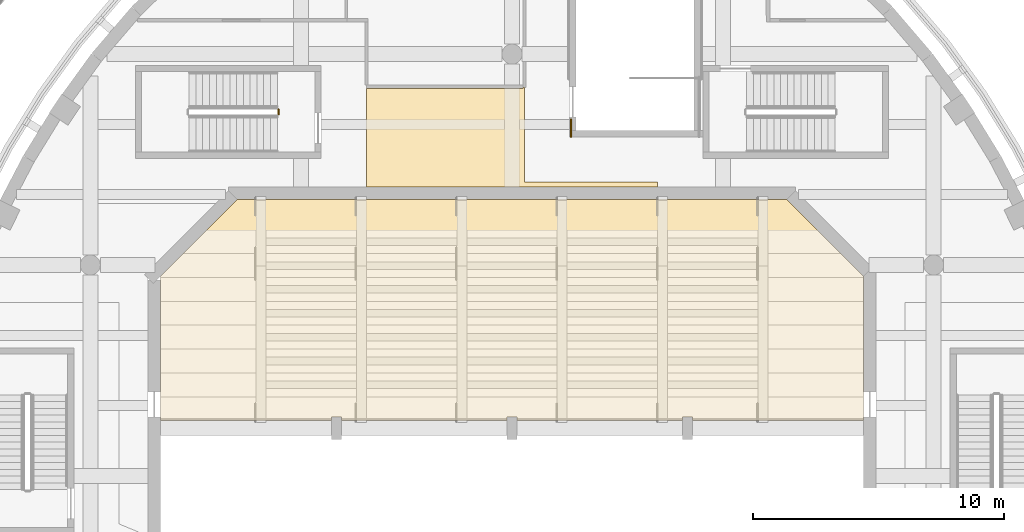
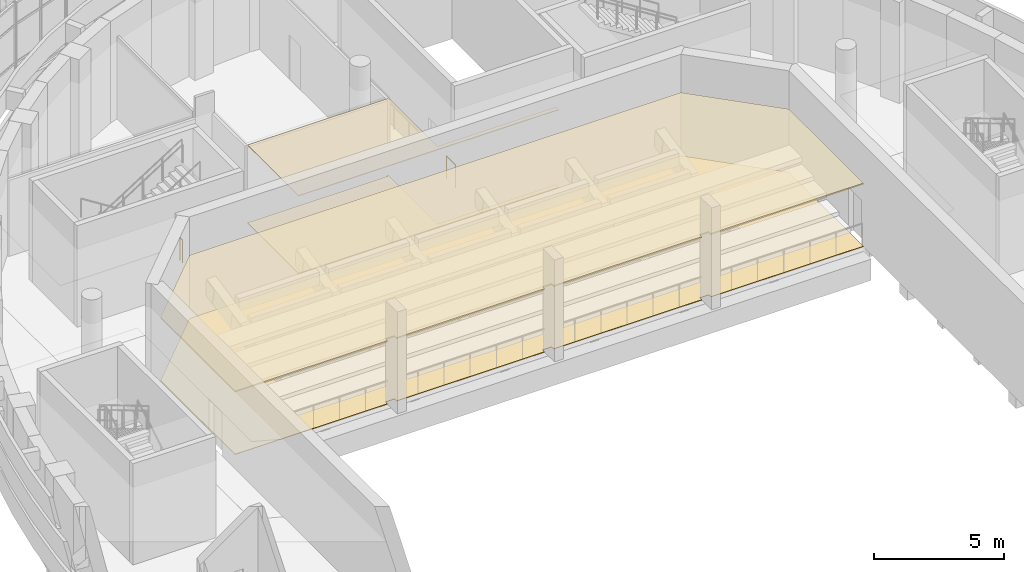
# One storey, part 96 of 103: 4 coverings, 2 railings.
"""IFC4 building model written with IfcOpenShell, lengths in metres."""

from ifc_helpers import new_model, si_unit, direction, frame, origin, origin_2d, place, context, subcontext, project, spatial, polyline, circle, outline, extrude, material, layer, layer_set, type_object, element, save


model = new_model("IFC4")

# Units and contexts
model_context = context("Model", 3, precision=1e-05, world=origin(), true_north=direction((0.0, 1.0)))
body_context = subcontext(model_context, "Body", "Model", "MODEL_VIEW")
ifc_project = project(units=[si_unit("LENGTHUNIT", "METRE"), si_unit("AREAUNIT", "SQUARE_METRE"), si_unit("VOLUMEUNIT", "CUBIC_METRE"), si_unit("PLANEANGLEUNIT", "RADIAN"), si_unit("MASSUNIT", "GRAM", prefix="KILO")], contexts=[model_context])

# Site, building, storey
site_placement = place(None, origin())
site = spatial("IfcSite", under=ifc_project, at=site_placement, CompositionType="ELEMENT")
building_placement = place(site_placement, origin())
building = spatial("IfcBuilding", under=site, at=building_placement, Name="Larchfold Concert Hall", CompositionType="ELEMENT")
storey_placement = place(building_placement, frame((0.0, 0.0, 9.60009765625)))
storey = spatial("IfcBuildingStorey", under=building, at=storey_placement, Name="L02", CompositionType="ELEMENT", Elevation=9.60009765625)

# Coverings
ifc_material_1 = material(Name="Acoustic timber lining", Category="wood")
ifc_layer_1 = layer(ifc_material_1, 0.06005859375)
ifc_layer_set_1 = layer_set([ifc_layer_1], Name="Acoustic timber lining")
covering_type_1 = type_object("IfcCoveringType", Name="Ceiling acoustic timber lining 60", PredefinedType="CEILING", material=ifc_layer_set_1)
covering_1_placement = place(storey_placement, frame((0.0, 0.0, 2.93994140625)))
element("IfcCovering", 1, at=covering_1_placement, inside=storey, type_object=covering_type_1, Name="Ceiling Concert Hall Tier 1", PredefinedType="CEILING", context=body_context, shape_type="SweptSolid", body=[
    extrude(outline(polyline([(53.546630859375, 104.0), (31.653564453125, 104.0), (28.60009765625, 100.946533203125), (28.60009765625, 95.199951171875), (35.400146484375, 95.199951171875), (35.400146484375, 95.349853515625), (35.800048828125, 95.349853515625), (35.800048828125, 95.199951171875), (42.400146484375, 95.199951171875), (42.400146484375, 95.349853515625), (42.800048828125, 95.349853515625), (42.800048828125, 95.199951171875), (49.400146484375, 95.199951171875), (49.400146484375, 95.349853515625), (49.800048828125, 95.349853515625), (49.800048828125, 95.199951171875), (56.60009765625, 95.199951171875), (56.60009765625, 100.946533203125), (53.546630859375, 104.0)])), origin(), (0.0, 0.0, 1.0), 0.06005859375),
])
ifc_material_2 = material(Name="Plasterboard ceiling lining")
ifc_layer_2 = layer(ifc_material_2, 0.030029296875)
ifc_layer_set_2 = layer_set([ifc_layer_2], Name="Plasterboard ceiling lining")
covering_type_2 = type_object("IfcCoveringType", Name="Ceiling suspended plasterboard 30", PredefinedType="CEILING", material=ifc_layer_set_2)
covering_2_placement = place(storey_placement, frame((0.0, 0.0, 3.669921875)))
element("IfcCovering", 2, at=covering_2_placement, inside=storey, type_object=covering_type_2, Name="Ceiling Hall Foyer North", PredefinedType="CEILING", context=body_context, shape_type="SweptSolid", body=[
    extrude(outline(polyline([(43.03857421875, 108.5), (43.034912109375, 108.4375), (36.800048828125, 108.4375), (36.800048828125, 104.5), (48.39990234375, 104.5), (48.39990234375, 104.699951171875), (43.099853515625, 104.699951171875), (43.099853515625, 108.47998046875), (43.03857421875, 108.47998046875), (43.03857421875, 108.5)])), origin(), (0.0, 0.0, 1.0), 0.030029296875),
])
ifc_material_3 = material(Name="Polished terrazzo")
ifc_layer_3 = layer(ifc_material_3, 0.0400390625)
ifc_layer_set_3 = layer_set([ifc_layer_3], Name="Polished terrazzo")
covering_type_3 = type_object("IfcCoveringType", Name="Floor finish terrazzo 40", PredefinedType="FLOORING", material=ifc_layer_set_3)
covering_3_placement = place(storey_placement, origin())
element("IfcCovering", 3, at=covering_3_placement, inside=storey, type_object=covering_type_3, Name="Floor finish Hall Foyer North", PredefinedType="FLOORING", context=body_context, shape_type="SweptSolid", body=[
    extrude(outline(polyline([(43.03857421875, 108.5), (43.034912109375, 108.4375), (36.800048828125, 108.4375), (36.800048828125, 104.5), (48.39990234375, 104.5), (48.39990234375, 104.699951171875), (43.099853515625, 104.699951171875), (43.099853515625, 108.47998046875), (43.03857421875, 108.47998046875), (43.03857421875, 108.5)])), origin(), (0.0, 0.0, 1.0), 0.0400390625),
])
ifc_material_4 = material(Name="Oak boards on battens")
ifc_layer_4 = layer(ifc_material_4, 0.02490234375)
ifc_layer_set_4 = layer_set([ifc_layer_4], Name="Oak boards on battens")
covering_type_4 = type_object("IfcCoveringType", Name="Floor finish timber boards 25", PredefinedType="FLOORING", material=ifc_layer_set_4)
covering_4_placement = place(storey_placement, origin())
element("IfcCovering", 4, at=covering_4_placement, inside=storey, type_object=covering_type_4, Name="Floor finish Concert Hall Tier 1", PredefinedType="FLOORING", context=body_context, shape_type="SweptSolid", body=[
    extrude(outline(polyline([(53.546630859375, 104.0), (31.653564453125, 104.0), (28.60009765625, 100.946533203125), (28.60009765625, 95.199951171875), (35.400146484375, 95.199951171875), (35.400146484375, 95.349853515625), (35.800048828125, 95.349853515625), (35.800048828125, 95.199951171875), (42.400146484375, 95.199951171875), (42.400146484375, 95.349853515625), (42.800048828125, 95.349853515625), (42.800048828125, 95.199951171875), (49.400146484375, 95.199951171875), (49.400146484375, 95.349853515625), (49.800048828125, 95.349853515625), (49.800048828125, 95.199951171875), (56.60009765625, 95.199951171875), (56.60009765625, 100.946533203125), (53.546630859375, 104.0)])), origin(), (0.0, 0.0, 1.0), 0.02490234375),
])

# Railings
ifc_material_5 = material(Name="Stainless steel balustrade", Category="steel")
railing_type = type_object("IfcRailingType", Name="Stair guard 1100", PredefinedType="GUARDRAIL", material=ifc_material_5)
railing_1_placement = place(storey_placement, frame((33.300048828125, 107.60009765625, 0.0)))
element("IfcRailing", 5, at=railing_1_placement, inside=storey, type_object=railing_type, Name="Guard GR0015", PredefinedType="GUARDRAIL", context=body_context, shape_type="SweptSolid", body=[
    extrude(circle(Radius=0.02392578125, at=origin_2d()), frame((0.0, 0.0, 1.076171875), z_axis=(0.0, -1.0, 0.0), x_axis=(1.0, 0.0, 0.0)), (0.0, 0.0, 1.0), 0.199951171875),
    extrude(circle(Radius=0.02099609375, at=origin_2d()), origin(), (0.0, 0.0, 1.0), 1.052001953125),
    extrude(circle(Radius=0.02099609375, at=origin_2d()), frame((0.0, -0.199951171875, 0.0)), (0.0, 0.0, 1.0), 1.052001953125),
])
railing_2_placement = place(storey_placement, frame((44.9501953125, 106.5, 0.0)))
element("IfcRailing", 6, at=railing_2_placement, inside=storey, type_object=railing_type, Name="Guard GR0093", PredefinedType="GUARDRAIL", context=body_context, shape_type="SweptSolid", body=[
    extrude(circle(Radius=0.02392578125, at=origin_2d()), frame((0.0, 0.0, 1.076171875), z_axis=(0.0, 1.0, 0.0), x_axis=(-1.0, 0.0, 0.0)), (0.0, 0.0, 1.0), 0.7001953125),
    extrude(circle(Radius=0.02099609375, at=origin_2d()), origin(), (0.0, 0.0, 1.0), 1.052001953125),
    extrude(circle(Radius=0.02099609375, at=origin_2d()), frame((0.0, 0.7001953125, 0.0)), (0.0, 0.0, 1.0), 1.052001953125),
])

save(model, "model.ifc")
